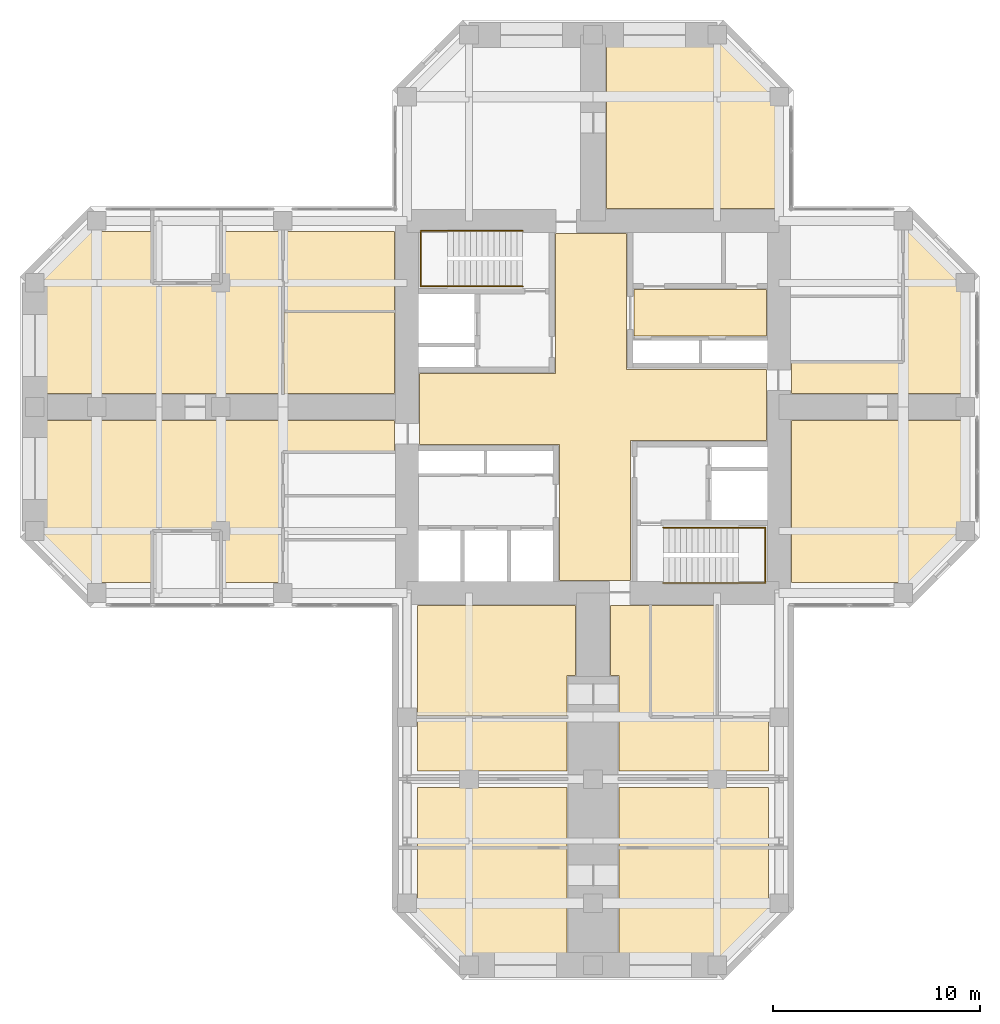
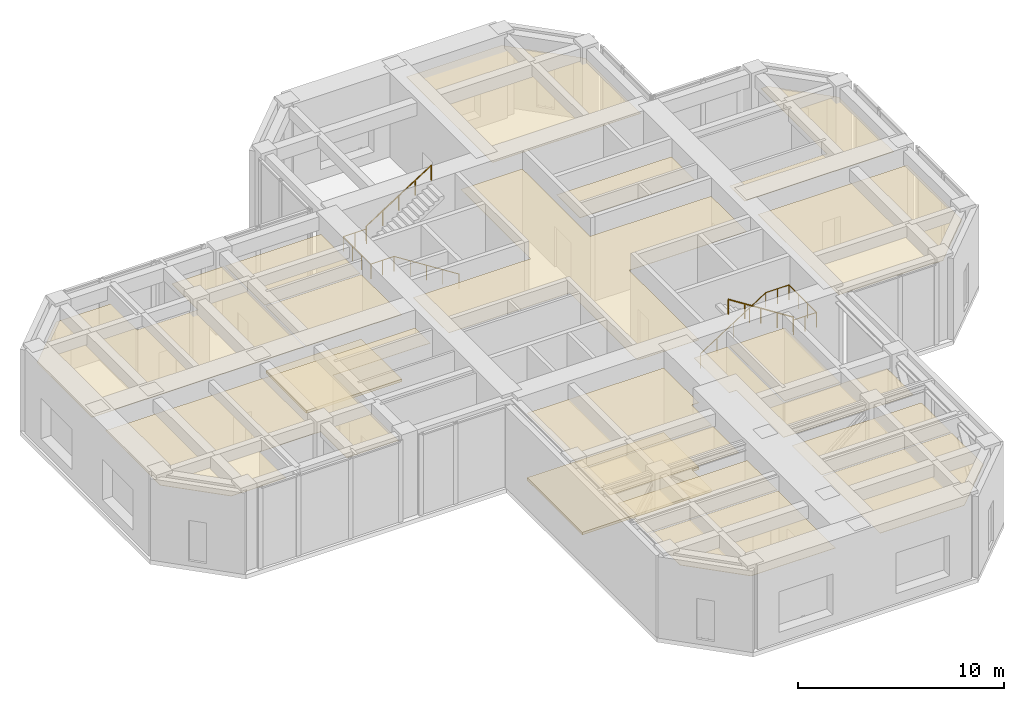
# One storey, part 10 of 10: 19 coverings, 4 railings.
"""IFC4 building model written with IfcOpenShell, lengths in metres."""

from ifc_helpers import new_model, si_unit, direction, frame, origin, origin_2d, place, context, subcontext, project, spatial, polyline, circle, outline, extrude, material, layer, layer_set, constituent, constituent_set, type_object, element, save


model = new_model("IFC4")

# Units and contexts
model_context = context("Model", 3, precision=1e-05, world=origin(), true_north=direction((0.0, 1.0)))
body_context = subcontext(model_context, "Body", "Model", "MODEL_VIEW")
ifc_project = project(units=[si_unit("LENGTHUNIT", "METRE"), si_unit("AREAUNIT", "SQUARE_METRE"), si_unit("VOLUMEUNIT", "CUBIC_METRE"), si_unit("PLANEANGLEUNIT", "RADIAN"), si_unit("MASSUNIT", "GRAM", prefix="KILO")], contexts=[model_context])

# Site, building, storey
site_placement = place(None, origin())
site = spatial("IfcSite", under=ifc_project, at=site_placement, CompositionType="ELEMENT")
building_placement = place(site_placement, origin())
building = spatial("IfcBuilding", under=site, at=building_placement, Name="Torre Cruceta", CompositionType="ELEMENT")
storey_placement = place(building_placement, frame((0.0, 0.0, 217.10009765625)))
storey = spatial("IfcBuildingStorey", under=building, at=storey_placement, Name="L55", CompositionType="ELEMENT", Elevation=217.10009765625)

# Railings
ifc_material_1 = material(Name="Stainless steel 1.4401", Category="steel")
railing_type = type_object("IfcRailingType", Name="HANDRAIL 900", PredefinedType="HANDRAIL", material=ifc_material_1)
railing_1_placement = place(storey_placement, frame((-3.39990234375, 5.8349609375, 0.178466796875)))
element("IfcRailing", 1, at=railing_1_placement, inside=storey, type_object=railing_type, Name="Handrail HR1 ST1 L55", PredefinedType="HANDRAIL", context=body_context, shape_type="SweptSolid", body=[
    extrude(circle(Radius=0.02392578125, at=origin_2d()), frame((0.0, 0.0, 0.8759765625), z_axis=(-0.843127859045, 0.0, 0.537713132908), x_axis=(0.0, -1.0, 0.0)), (0.0, 0.0, 1.0), 4.3173828125),
    extrude(circle(Radius=0.02392578125, at=origin_2d()), frame((-3.64013671875, 0.0, 3.197265625), z_axis=(-1.0, 0.0, 0.0), x_axis=(0.0, -1.0, 0.0)), (0.0, 0.0, 1.0), 1.300048828125),
    extrude(circle(Radius=0.02392578125, at=origin_2d()), frame((-4.940185546875, 0.0, 3.197265625), z_axis=(0.0, 1.0, 0.0), x_axis=(-1.0, 0.0, 0.0)), (0.0, 0.0, 1.0), 2.679931640625),
    extrude(circle(Radius=0.02392578125, at=origin_2d()), frame((-4.940185546875, 2.679931640625, 3.197265625), z_axis=(1.0, 0.0, 0.0), x_axis=(0.0, 1.0, 0.0)), (0.0, 0.0, 1.0), 1.300048828125),
    extrude(circle(Radius=0.02099609375, at=origin_2d()), origin(), (0.0, 0.0, 1.0), 0.851806640625),
    extrude(circle(Radius=0.02099609375, at=origin_2d()), frame((-0.91015625, 0.0, 0.580322265625)), (0.0, 0.0, 1.0), 0.851806640625),
    extrude(circle(Radius=0.02099609375, at=origin_2d()), frame((-1.820068359375, 0.0, 1.16064453125)), (0.0, 0.0, 1.0), 0.851806640625),
    extrude(circle(Radius=0.02099609375, at=origin_2d()), frame((-2.72998046875, 0.0, 1.7412109375)), (0.0, 0.0, 1.0), 0.851806640625),
    extrude(circle(Radius=0.02099609375, at=origin_2d()), frame((-3.64013671875, 0.0, 2.321533203125)), (0.0, 0.0, 1.0), 0.851806640625),
    extrude(circle(Radius=0.02099609375, at=origin_2d()), frame((-4.2900390625, 0.0, 2.321533203125)), (0.0, 0.0, 1.0), 0.851806640625),
    extrude(circle(Radius=0.02099609375, at=origin_2d()), frame((-4.940185546875, 0.0, 2.321533203125)), (0.0, 0.0, 1.0), 0.851806640625),
    extrude(circle(Radius=0.02099609375, at=origin_2d()), frame((-4.940185546875, 0.893310546875, 2.321533203125)), (0.0, 0.0, 1.0), 0.851806640625),
    extrude(circle(Radius=0.02099609375, at=origin_2d()), frame((-4.940185546875, 1.78662109375, 2.321533203125)), (0.0, 0.0, 1.0), 0.851806640625),
    extrude(circle(Radius=0.02099609375, at=origin_2d()), frame((-4.940185546875, 2.679931640625, 2.321533203125)), (0.0, 0.0, 1.0), 0.851806640625),
    extrude(circle(Radius=0.02099609375, at=origin_2d()), frame((-4.2900390625, 2.679931640625, 2.321533203125)), (0.0, 0.0, 1.0), 0.851806640625),
    extrude(circle(Radius=0.02099609375, at=origin_2d()), frame((-3.64013671875, 2.679931640625, 2.321533203125)), (0.0, 0.0, 1.0), 0.851806640625),
])
railing_2_placement = place(storey_placement, frame((-7.0400390625, 8.514892578125, 2.678466796875)))
element("IfcRailing", 2, at=railing_2_placement, inside=storey, type_object=railing_type, Name="Handrail HR1 ST1 L55", PredefinedType="HANDRAIL", context=body_context, shape_type="SweptSolid", body=[
    extrude(circle(Radius=0.02392578125, at=origin_2d()), frame((0.0, 0.0, 0.8759765625), z_axis=(0.843127859045, 0.0, 0.537713132908), x_axis=(0.0, 1.0, 0.0)), (0.0, 0.0, 1.0), 4.3173828125),
    extrude(circle(Radius=0.02099609375, at=origin_2d()), origin(), (0.0, 0.0, 1.0), 0.851806640625),
    extrude(circle(Radius=0.02099609375, at=origin_2d()), frame((0.91015625, 0.0, 0.580322265625)), (0.0, 0.0, 1.0), 0.851806640625),
    extrude(circle(Radius=0.02099609375, at=origin_2d()), frame((1.820068359375, 0.0, 1.16064453125)), (0.0, 0.0, 1.0), 0.851806640625),
    extrude(circle(Radius=0.02099609375, at=origin_2d()), frame((2.72998046875, 0.0, 1.7412109375)), (0.0, 0.0, 1.0), 0.851806640625),
    extrude(circle(Radius=0.02099609375, at=origin_2d()), frame((3.64013671875, 0.0, 2.321533203125)), (0.0, 0.0, 1.0), 0.851806640625),
])
railing_3_placement = place(storey_placement, frame((3.39990234375, -5.8349609375, 0.178466796875)))
element("IfcRailing", 3, at=railing_3_placement, inside=storey, type_object=railing_type, Name="Handrail HR1 ST2 L55", PredefinedType="HANDRAIL", context=body_context, shape_type="SweptSolid", body=[
    extrude(circle(Radius=0.02392578125, at=origin_2d()), frame((0.0, 0.0, 0.8759765625), z_axis=(0.843127859045, 0.0, 0.537713132908), x_axis=(0.0, 1.0, 0.0)), (0.0, 0.0, 1.0), 4.3173828125),
    extrude(circle(Radius=0.02392578125, at=origin_2d()), frame((3.64013671875, 0.0, 3.197265625), z_axis=(1.0, 0.0, 0.0), x_axis=(0.0, 1.0, 0.0)), (0.0, 0.0, 1.0), 1.300048828125),
    extrude(circle(Radius=0.02392578125, at=origin_2d()), frame((4.940185546875, 0.0, 3.197265625), z_axis=(0.0, -1.0, 0.0), x_axis=(1.0, 0.0, 0.0)), (0.0, 0.0, 1.0), 2.679931640625),
    extrude(circle(Radius=0.02392578125, at=origin_2d()), frame((4.940185546875, -2.679931640625, 3.197265625), z_axis=(-1.0, 0.0, 0.0), x_axis=(0.0, -1.0, 0.0)), (0.0, 0.0, 1.0), 1.300048828125),
    extrude(circle(Radius=0.02099609375, at=origin_2d()), origin(), (0.0, 0.0, 1.0), 0.851806640625),
    extrude(circle(Radius=0.02099609375, at=origin_2d()), frame((0.91015625, 0.0, 0.580322265625)), (0.0, 0.0, 1.0), 0.851806640625),
    extrude(circle(Radius=0.02099609375, at=origin_2d()), frame((1.820068359375, 0.0, 1.16064453125)), (0.0, 0.0, 1.0), 0.851806640625),
    extrude(circle(Radius=0.02099609375, at=origin_2d()), frame((2.72998046875, 0.0, 1.7412109375)), (0.0, 0.0, 1.0), 0.851806640625),
    extrude(circle(Radius=0.02099609375, at=origin_2d()), frame((3.64013671875, 0.0, 2.321533203125)), (0.0, 0.0, 1.0), 0.851806640625),
    extrude(circle(Radius=0.02099609375, at=origin_2d()), frame((4.2900390625, 0.0, 2.321533203125)), (0.0, 0.0, 1.0), 0.851806640625),
    extrude(circle(Radius=0.02099609375, at=origin_2d()), frame((4.940185546875, 0.0, 2.321533203125)), (0.0, 0.0, 1.0), 0.851806640625),
    extrude(circle(Radius=0.02099609375, at=origin_2d()), frame((4.940185546875, -0.893310546875, 2.321533203125)), (0.0, 0.0, 1.0), 0.851806640625),
    extrude(circle(Radius=0.02099609375, at=origin_2d()), frame((4.940185546875, -1.78662109375, 2.321533203125)), (0.0, 0.0, 1.0), 0.851806640625),
    extrude(circle(Radius=0.02099609375, at=origin_2d()), frame((4.940185546875, -2.679931640625, 2.321533203125)), (0.0, 0.0, 1.0), 0.851806640625),
    extrude(circle(Radius=0.02099609375, at=origin_2d()), frame((4.2900390625, -2.679931640625, 2.321533203125)), (0.0, 0.0, 1.0), 0.851806640625),
    extrude(circle(Radius=0.02099609375, at=origin_2d()), frame((3.64013671875, -2.679931640625, 2.321533203125)), (0.0, 0.0, 1.0), 0.851806640625),
])
railing_4_placement = place(storey_placement, frame((7.0400390625, -8.514892578125, 2.678466796875)))
element("IfcRailing", 4, at=railing_4_placement, inside=storey, type_object=railing_type, Name="Handrail HR1 ST2 L55", PredefinedType="HANDRAIL", context=body_context, shape_type="SweptSolid", body=[
    extrude(circle(Radius=0.02392578125, at=origin_2d()), frame((0.0, 0.0, 0.8759765625), z_axis=(-0.843127859045, 0.0, 0.537713132908), x_axis=(0.0, -1.0, 0.0)), (0.0, 0.0, 1.0), 4.3173828125),
    extrude(circle(Radius=0.02099609375, at=origin_2d()), origin(), (0.0, 0.0, 1.0), 0.851806640625),
    extrude(circle(Radius=0.02099609375, at=origin_2d()), frame((-0.91015625, 0.0, 0.580322265625)), (0.0, 0.0, 1.0), 0.851806640625),
    extrude(circle(Radius=0.02099609375, at=origin_2d()), frame((-1.820068359375, 0.0, 1.16064453125)), (0.0, 0.0, 1.0), 0.851806640625),
    extrude(circle(Radius=0.02099609375, at=origin_2d()), frame((-2.72998046875, 0.0, 1.7412109375)), (0.0, 0.0, 1.0), 0.851806640625),
    extrude(circle(Radius=0.02099609375, at=origin_2d()), frame((-3.64013671875, 0.0, 2.321533203125)), (0.0, 0.0, 1.0), 0.851806640625),
])

# Coverings
ifc_material_2 = material(Name="Steel DX51D", Category="steel")
ifc_constituent_1 = constituent(ifc_material_2, Name="Panel casing")
ifc_material_3 = material(Name="Calcium sulphate", Category="gypsum")
ifc_constituent_2 = constituent(ifc_material_3, Name="Panel core")
ifc_constituent_set = constituent_set(constituents=[ifc_constituent_1, ifc_constituent_2], Name="Raised access floor panel")
covering_type_1 = type_object("IfcCoveringType", Name="RAISED ACCESS FLOOR 150", PredefinedType="FLOORING", material=ifc_constituent_set)
covering_1_placement = place(storey_placement, origin())
element("IfcCovering", 5, at=covering_1_placement, inside=storey, type_object=covering_type_1, Name="Raised floor L55-029", PredefinedType="FLOORING", context=body_context, shape_type="SweptSolid", body=[
    extrude(outline(polyline([(-8.5, -14.949951171875), (-8.5, -9.60009765625), (-0.85009765625, -9.60009765625), (-0.85009765625, -13.0), (-1.25, -13.0), (-1.25, -14.949951171875), (-8.5, -14.949951171875)])), origin(), (0.0, 0.0, 1.0), 0.14990234375),
])
covering_2_placement = place(storey_placement, origin())
element("IfcCovering", 6, at=covering_2_placement, inside=storey, type_object=covering_type_1, Name="Raised floor L55-039", PredefinedType="FLOORING", context=body_context, shape_type="SweptSolid", body=[
    extrude(outline(polyline([(-9.60009765625, 4.574951171875), (-9.60009765625, 0.64990234375), (-14.949951171875, 0.64990234375), (-14.949951171875, 4.574951171875), (-9.60009765625, 4.574951171875)])), origin(), (0.0, 0.0, 1.0), 0.14990234375),
])
ifc_material_4 = material(Name="Mineral fibre ceiling tile", Category="gypsum")
ifc_layer = layer(ifc_material_4, 0.02001953125)
ifc_layer_set = layer_set([ifc_layer], Name="Mineral fibre ceiling tile")
covering_type_2 = type_object("IfcCoveringType", Name="SUSPENDED CEILING 20", PredefinedType="CEILING", material=ifc_layer_set)
covering_3_placement = place(storey_placement, frame((0.0, 0.0, 3.949951171875)))
element("IfcCovering", 7, at=covering_3_placement, inside=storey, type_object=covering_type_2, Name="Ceiling L55-003", PredefinedType="CEILING", context=body_context, shape_type="SweptSolid", body=[
    extrude(outline(polyline([(-1.625, -8.39990234375), (-1.625, -1.824951171875), (-8.39990234375, -1.824951171875), (-8.39990234375, 1.625), (-1.824951171875, 1.625), (-1.824951171875, 8.39990234375), (1.625, 8.39990234375), (1.625, 1.824951171875), (8.39990234375, 1.824951171875), (8.39990234375, -1.625), (1.824951171875, -1.625), (1.824951171875, -8.39990234375), (-1.625, -8.39990234375)])), origin(), (0.0, 0.0, 1.0), 0.02001953125),
])
covering_4_placement = place(storey_placement, frame((0.0, 0.0, 3.949951171875)))
element("IfcCovering", 8, at=covering_4_placement, inside=storey, type_object=covering_type_2, Name="Ceiling L55-004", PredefinedType="CEILING", context=body_context, shape_type="SweptSolid", body=[
    extrude(outline(polyline([(1.97509765625, 3.425048828125), (1.97509765625, 5.675048828125), (8.39990234375, 5.675048828125), (8.39990234375, 3.425048828125), (1.97509765625, 3.425048828125)])), origin(), (0.0, 0.0, 1.0), 0.02001953125),
])
covering_5_placement = place(storey_placement, frame((0.0, 0.0, 3.949951171875)))
element("IfcCovering", 9, at=covering_5_placement, inside=storey, type_object=covering_type_2, Name="Ceiling L55-022", PredefinedType="CEILING", context=body_context, shape_type="SweptSolid", body=[
    extrude(outline(polyline([(5.979248046875, 17.949951171875), (8.949951171875, 14.979248046875), (8.949951171875, 9.60009765625), (0.64990234375, 9.60009765625), (0.64990234375, 17.949951171875), (5.979248046875, 17.949951171875)])), origin(), (0.0, 0.0, 1.0), 0.02001953125),
])
covering_6_placement = place(storey_placement, frame((0.0, 0.0, 3.949951171875)))
element("IfcCovering", 10, at=covering_6_placement, inside=storey, type_object=covering_type_2, Name="Ceiling L55-025", PredefinedType="CEILING", context=body_context, shape_type="SweptSolid", body=[
    extrude(outline(polyline([(9.60009765625, 2.125), (15.050048828125, 2.125), (15.050048828125, 8.5), (15.42919921875, 8.5), (17.949951171875, 5.979248046875), (17.949951171875, 0.64990234375), (9.60009765625, 0.64990234375), (9.60009765625, 2.125)])), origin(), (0.0, 0.0, 1.0), 0.02001953125),
])
covering_7_placement = place(storey_placement, frame((0.0, 0.0, 3.949951171875)))
element("IfcCovering", 11, at=covering_7_placement, inside=storey, type_object=covering_type_2, Name="Ceiling L55-026", PredefinedType="CEILING", context=body_context, shape_type="SweptSolid", body=[
    extrude(outline(polyline([(15.42919921875, -8.5), (9.60009765625, -8.5), (9.60009765625, -0.64990234375), (17.949951171875, -0.64990234375), (17.949951171875, -5.979248046875), (15.42919921875, -8.5)])), origin(), (0.0, 0.0, 1.0), 0.02001953125),
])
covering_8_placement = place(storey_placement, frame((0.0, 0.0, 3.949951171875)))
element("IfcCovering", 12, at=covering_8_placement, inside=storey, type_object=covering_type_2, Name="Ceiling L55-027", PredefinedType="CEILING", context=body_context, shape_type="SweptSolid", body=[
    extrude(outline(polyline([(2.824951171875, -9.60009765625), (5.9482421875, -9.60009765625), (5.9482421875, -14.949951171875), (2.824951171875, -14.949951171875), (2.824951171875, -9.60009765625)])), origin(), (0.0, 0.0, 1.0), 0.02001953125),
])
covering_9_placement = place(storey_placement, frame((0.0, 0.0, 3.949951171875)))
element("IfcCovering", 13, at=covering_9_placement, inside=storey, type_object=covering_type_2, Name="Ceiling L55-029", PredefinedType="CEILING", context=body_context, shape_type="SweptSolid", body=[
    extrude(outline(polyline([(-8.5, -14.949951171875), (-8.5, -9.60009765625), (-0.85009765625, -9.60009765625), (-0.85009765625, -13.0), (-1.25, -13.0), (-1.25, -14.949951171875), (-8.5, -14.949951171875)])), origin(), (0.0, 0.0, 1.0), 0.02001953125),
])
covering_10_placement = place(storey_placement, frame((0.0, 0.0, 3.949951171875)))
element("IfcCovering", 14, at=covering_10_placement, inside=storey, type_object=covering_type_2, Name="Ceiling L55-030", PredefinedType="CEILING", context=body_context, shape_type="SweptSolid", body=[
    extrude(outline(polyline([(1.25, -26.949951171875), (1.25, -21.3701171875), (8.5, -21.3701171875), (8.5, -24.42919921875), (5.979248046875, -26.949951171875), (1.25, -26.949951171875)])), origin(), (0.0, 0.0, 1.0), 0.02001953125),
])
covering_11_placement = place(storey_placement, frame((0.0, 0.0, 3.949951171875)))
element("IfcCovering", 15, at=covering_11_placement, inside=storey, type_object=covering_type_2, Name="Ceiling L55-031", PredefinedType="CEILING", context=body_context, shape_type="SweptSolid", body=[
    extrude(outline(polyline([(-8.5, -24.42919921875), (-8.5, -21.3701171875), (-1.25, -21.3701171875), (-1.25, -26.949951171875), (-5.979248046875, -26.949951171875), (-8.5, -24.42919921875)])), origin(), (0.0, 0.0, 1.0), 0.02001953125),
])
covering_12_placement = place(storey_placement, frame((0.0, 0.0, 3.949951171875)))
element("IfcCovering", 16, at=covering_12_placement, inside=storey, type_object=covering_type_2, Name="Ceiling L55-032", PredefinedType="CEILING", context=body_context, shape_type="SweptSolid", body=[
    extrude(outline(polyline([(2.72509765625, -9.60009765625), (2.72509765625, -15.050048828125), (8.5, -15.050048828125), (8.5, -17.60009765625), (1.25, -17.60009765625), (1.25, -13.0), (0.85009765625, -13.0), (0.85009765625, -9.60009765625), (2.72509765625, -9.60009765625)])), origin(), (0.0, 0.0, 1.0), 0.02001953125),
])
covering_13_placement = place(storey_placement, frame((0.0, 0.0, 3.949951171875)))
element("IfcCovering", 17, at=covering_13_placement, inside=storey, type_object=covering_type_2, Name="Ceiling L55-033", PredefinedType="CEILING", context=body_context, shape_type="SweptSolid", body=[
    extrude(outline(polyline([(-8.5, -17.60009765625), (-8.5, -15.050048828125), (-1.25, -15.050048828125), (-1.25, -17.60009765625), (-8.5, -17.60009765625)])), origin(), (0.0, 0.0, 1.0), 0.02001953125),
])
covering_14_placement = place(storey_placement, frame((0.0, 0.0, 3.949951171875)))
element("IfcCovering", 18, at=covering_14_placement, inside=storey, type_object=covering_type_2, Name="Ceiling L55-034", PredefinedType="CEILING", context=body_context, shape_type="SweptSolid", body=[
    extrude(outline(polyline([(1.25, -21.27001953125), (1.25, -18.39990234375), (8.5, -18.39990234375), (8.5, -21.27001953125), (1.25, -21.27001953125)])), origin(), (0.0, 0.0, 1.0), 0.02001953125),
])
covering_15_placement = place(storey_placement, frame((0.0, 0.0, 3.949951171875)))
element("IfcCovering", 19, at=covering_15_placement, inside=storey, type_object=covering_type_2, Name="Ceiling L55-035", PredefinedType="CEILING", context=body_context, shape_type="SweptSolid", body=[
    extrude(outline(polyline([(-8.5, -21.27001953125), (-8.5, -18.39990234375), (-1.25, -18.39990234375), (-1.25, -21.27001953125), (-8.5, -21.27001953125)])), origin(), (0.0, 0.0, 1.0), 0.02001953125),
])
covering_16_placement = place(storey_placement, frame((0.0, 0.0, 3.949951171875)))
element("IfcCovering", 20, at=covering_16_placement, inside=storey, type_object=covering_type_2, Name="Ceiling L55-039", PredefinedType="CEILING", context=body_context, shape_type="SweptSolid", body=[
    extrude(outline(polyline([(-9.60009765625, 4.574951171875), (-9.60009765625, 0.64990234375), (-14.949951171875, 0.64990234375), (-14.949951171875, 4.574951171875), (-9.60009765625, 4.574951171875)])), origin(), (0.0, 0.0, 1.0), 0.02001953125),
])
covering_17_placement = place(storey_placement, frame((0.0, 0.0, 3.949951171875)))
element("IfcCovering", 21, at=covering_17_placement, inside=storey, type_object=covering_type_2, Name="Ceiling L55-040", PredefinedType="CEILING", context=body_context, shape_type="SweptSolid", body=[
    extrude(outline(polyline([(-9.60009765625, 8.5), (-9.60009765625, 4.675048828125), (-14.949951171875, 4.675048828125), (-14.949951171875, 8.5), (-9.60009765625, 8.5)])), origin(), (0.0, 0.0, 1.0), 0.02001953125),
])
covering_18_placement = place(storey_placement, frame((0.0, 0.0, 3.949951171875)))
element("IfcCovering", 22, at=covering_18_placement, inside=storey, type_object=covering_type_2, Name="Ceiling L55-043", PredefinedType="CEILING", context=body_context, shape_type="SweptSolid", body=[
    extrude(outline(polyline([(-9.60009765625, -2.125), (-15.050048828125, -2.125), (-15.050048828125, -8.5), (-17.949951171875, -8.5), (-17.949951171875, -5.949951171875), (-21.3701171875, -5.949951171875), (-21.3701171875, -8.5), (-24.42919921875, -8.5), (-26.949951171875, -5.979248046875), (-26.949951171875, -0.64990234375), (-9.60009765625, -0.64990234375), (-9.60009765625, -2.125)])), origin(), (0.0, 0.0, 1.0), 0.02001953125),
])
covering_19_placement = place(storey_placement, frame((0.0, 0.0, 3.949951171875)))
element("IfcCovering", 23, at=covering_19_placement, inside=storey, type_object=covering_type_2, Name="Ceiling L55-044", PredefinedType="CEILING", context=body_context, shape_type="SweptSolid", body=[
    extrude(outline(polyline([(-26.949951171875, 5.979248046875), (-24.42919921875, 8.5), (-21.3701171875, 8.5), (-21.3701171875, 5.949951171875), (-17.949951171875, 5.949951171875), (-17.949951171875, 8.5), (-15.050048828125, 8.5), (-15.050048828125, 0.64990234375), (-26.949951171875, 0.64990234375), (-26.949951171875, 5.979248046875)])), origin(), (0.0, 0.0, 1.0), 0.02001953125),
])

save(model, "model.ifc")
